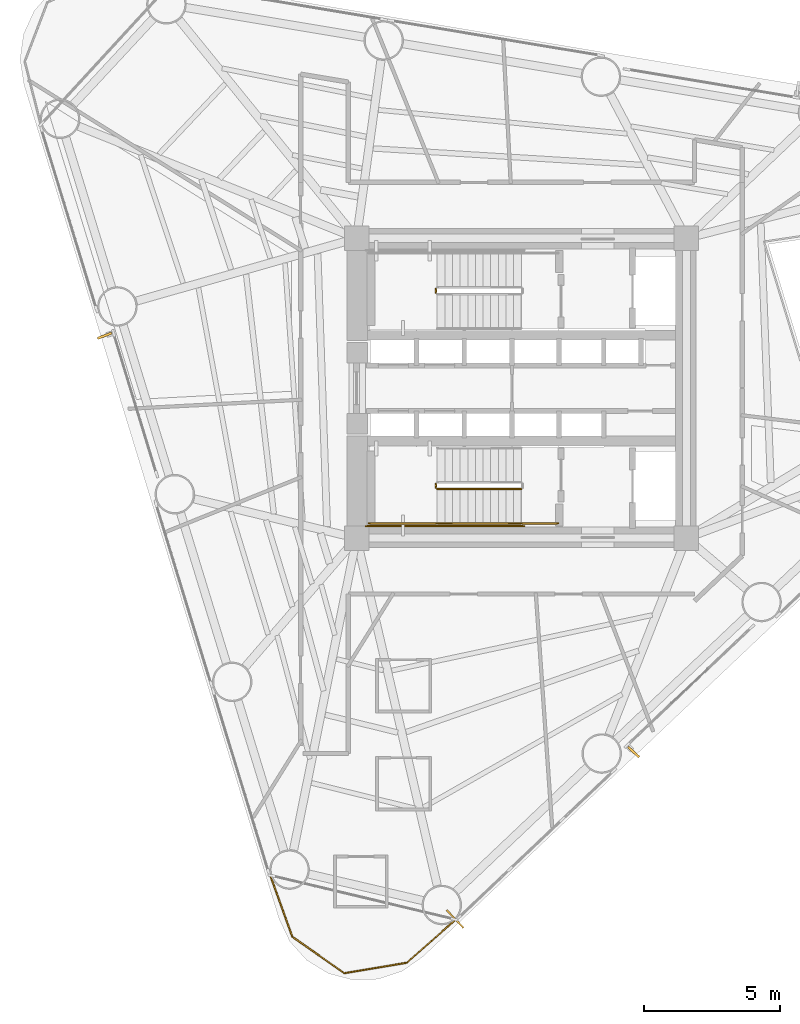
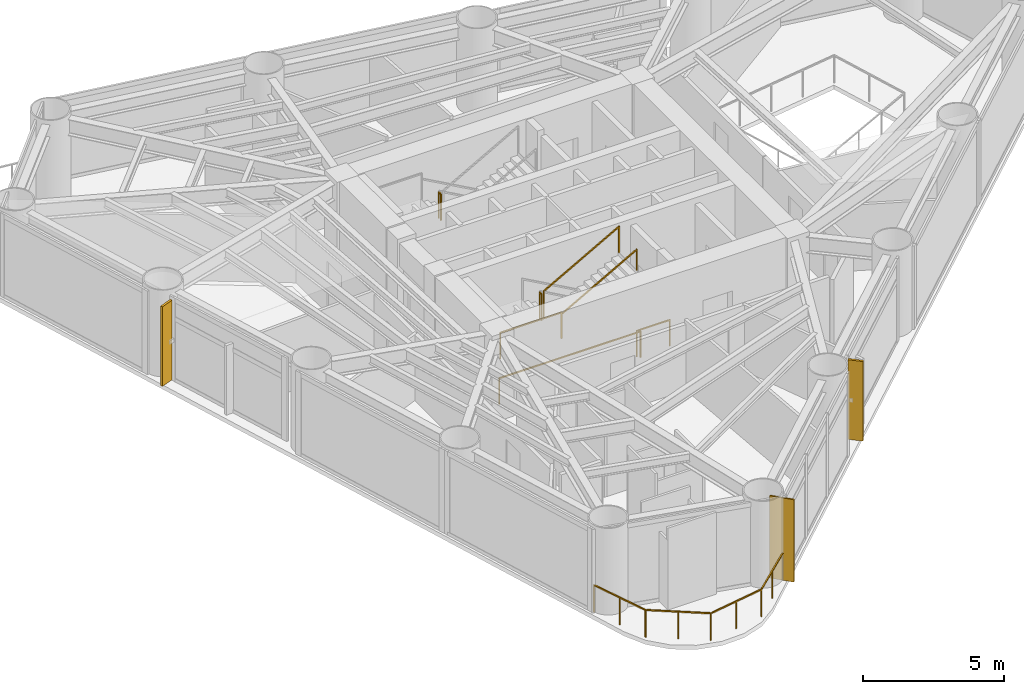
# One storey, part 8 of 10: 8 railings, 2 shading devices, 1 covering.
"""IFC4 building model written with IfcOpenShell, lengths in metres."""

import ifcopenshell
import ifcopenshell.guid

model = None  # the IFC model being written
_history = None  # IfcOwnerHistory: only IFC2X3 demands one
_inside = {}  # id of a spatial element -> (the spatial element, [elements in it])
_under = {}  # id of a project, library or spatial element -> (it, [spatial elements below it])
_declared = {}  # id of a project -> (the project, [libraries it declares])
_typed = {}  # id of a type object -> (the type object, [elements of that type])
_made_of = {}  # id of a material, layer set ... -> (it, [elements and type objects made of it])


def new_model(schema):
    """Start an empty IFC model of exactly this schema.

    Asked for "IFC4X3", IfcOpenShell would pick the latest addendum, in which some entities
    have other attributes; the version numbers below select the first issue.
    IFC2X3 requires an IfcOwnerHistory on every rooted entity: one is made here for all.
    """
    global model, _history
    if schema == "IFC4X3":
        model = ifcopenshell.file(schema_version=(4, 3, 0, 0))
    else:
        model = ifcopenshell.file(schema=schema)
    _inside.clear()
    _under.clear()
    _declared.clear()
    _typed.clear()
    _made_of.clear()
    _history = None
    if model.schema == "IFC2X3":
        org = make("IfcOrganization", Name="unknown")
        user = make(
            "IfcPersonAndOrganization",
            ThePerson=make("IfcPerson", FamilyName="unknown"),
            TheOrganization=org,
        )
        app = make(
            "IfcApplication",
            ApplicationDeveloper=org,
            Version="unknown",
            ApplicationFullName="unknown",
            ApplicationIdentifier="unknown",
        )
        _history = make(
            "IfcOwnerHistory",
            OwningUser=user,
            OwningApplication=app,
            ChangeAction="ADDED",
            CreationDate=0,
        )
    return model


def make(cls, **values):
    """One entity of the class cls with the attributes given. An attribute that is None is left unset."""
    return model.create_entity(
        cls, **{name: value for name, value in values.items() if value is not None}
    )


def rooted(cls, **values):
    """An entity with a GlobalId (a new one), such as an element, a storey or a relation."""
    return make(cls, GlobalId=ifcopenshell.guid.new(), OwnerHistory=_history, **values)


def si_unit(unit_type, name, prefix=None):
    """IfcSIUnit, for example si_unit("LENGTHUNIT", "METRE", prefix="MILLI")."""
    return make("IfcSIUnit", UnitType=unit_type, Prefix=prefix, Name=name)


def assignment(units):
    """IfcUnitAssignment: the units of a project."""
    return None if units is None else make("IfcUnitAssignment", Units=units)


def point(xyz):
    """IfcCartesianPoint."""
    return None if xyz is None else make("IfcCartesianPoint", Coordinates=xyz)


def direction(xyz):
    """IfcDirection."""
    return None if xyz is None else make("IfcDirection", DirectionRatios=xyz)


def frame(location, z_axis=None, x_axis=None):
    """IfcAxis2Placement3D, a coordinate frame: its origin and axes. An axis left out is left unset."""
    return make(
        "IfcAxis2Placement3D",
        Location=point(location),
        Axis=direction(z_axis),
        RefDirection=direction(x_axis),
    )


def frame_2d(location, x_axis=None):
    """IfcAxis2Placement2D, a coordinate frame in the plane: its origin and x axis."""
    return make(
        "IfcAxis2Placement2D", Location=point(location), RefDirection=direction(x_axis)
    )


def origin():
    """The frame at (0, 0, 0) with its axes left unset."""
    return frame((0.0, 0.0, 0.0))


def origin_2d():
    """The frame at (0, 0) in the plane with its x axis left unset."""
    return frame_2d((0.0, 0.0))


def place(relative_to, where):
    """IfcLocalPlacement: puts the frame where relative to a parent placement (None: the world)."""
    return make(
        "IfcLocalPlacement", PlacementRelTo=relative_to, RelativePlacement=where
    )


def context(
    kind, dimensions, precision=None, world=None, true_north=None, identifier=None
):
    """IfcGeometricRepresentationContext, for example the 3D "Model" context."""
    return make(
        "IfcGeometricRepresentationContext",
        ContextIdentifier=identifier,
        ContextType=kind,
        CoordinateSpaceDimension=dimensions,
        Precision=precision,
        WorldCoordinateSystem=world,
        TrueNorth=true_north,
    )


def subcontext(parent, identifier, kind, view, scale=None):
    """IfcGeometricRepresentationSubContext, for example "Body" below "Model"."""
    return make(
        "IfcGeometricRepresentationSubContext",
        ContextIdentifier=identifier,
        ContextType=kind,
        ParentContext=parent,
        TargetScale=scale,
        TargetView=view,
    )


def project(units=None, contexts=None):
    """IfcProject with its units and contexts."""
    return rooted(
        "IfcProject",
        Name="project",
        RepresentationContexts=contexts,
        UnitsInContext=assignment(units),
    )


def spatial(cls, under=None, at=None, **own):
    """A site, building, storey or space (cls), placed at a placement, below another one or the project."""
    s = rooted(cls, ObjectPlacement=at, **own)
    if under is not None:
        _under.setdefault(under.id(), (under, []))[1].append(s)
    return s


def profile(cls, at=None, kind="AREA", **sizes):
    """A parametric profile (cls). Its sizes go by their IFC names, for example OverallWidth=200.0."""
    return make(cls, ProfileType=kind, Position=at, **sizes)


def rectangle(**sizes):
    """IfcRectangleProfileDef."""
    return profile("IfcRectangleProfileDef", **sizes)


def extrude(swept, where, along, depth):
    """IfcExtrudedAreaSolid: the profile swept, set in the frame where, extruded along a direction by depth."""
    return make(
        "IfcExtrudedAreaSolid",
        SweptArea=swept,
        Position=where,
        ExtrudedDirection=direction(along),
        Depth=depth,
    )


def shape(context_of_items, identifier, shape_type, items):
    """IfcShapeRepresentation: the items that make up one representation, for example the "Body"."""
    return make(
        "IfcShapeRepresentation",
        ContextOfItems=context_of_items,
        RepresentationIdentifier=identifier,
        RepresentationType=shape_type,
        Items=items,
    )


def source(mapping_origin, context_of_items, identifier, shape_type, items):
    """IfcRepresentationMap: a shape defined once, which mapped items show again and again."""
    return make(
        "IfcRepresentationMap",
        MappingOrigin=mapping_origin,
        MappedRepresentation=shape(context_of_items, identifier, shape_type, items),
    )


def transform(
    local_origin,
    x_axis=None,
    y_axis=None,
    z_axis=None,
    scale=None,
    scale2=None,
    scale3=None,
    uniform=True,
):
    """IfcCartesianTransformationOperator3D, or its non-uniform kind. x_axis, y_axis, z_axis: its Axis1, 2, 3."""
    if uniform:
        return make(
            "IfcCartesianTransformationOperator3D",
            Axis1=direction(x_axis),
            Axis2=direction(y_axis),
            LocalOrigin=point(local_origin),
            Scale=scale,
            Axis3=direction(z_axis),
        )
    return make(
        "IfcCartesianTransformationOperator3DnonUniform",
        Axis1=direction(x_axis),
        Axis2=direction(y_axis),
        LocalOrigin=point(local_origin),
        Scale=scale,
        Axis3=direction(z_axis),
        Scale2=scale2,
        Scale3=scale3,
    )


def mapped(mapping_source, mapping_target):
    """IfcMappedItem: shows the shape of a source again, moved by a transform."""
    return make(
        "IfcMappedItem", MappingSource=mapping_source, MappingTarget=mapping_target
    )


def material(Name=None, Category=None):
    """IfcMaterial."""
    return make("IfcMaterial", Name=Name, Category=Category)


def layer(
    of_material, thickness, ventilated=None, Name=None, Category=None, Priority=None
):
    """IfcMaterialLayer: one layer of a wall or slab, of a material (None: an air gap)."""
    return make(
        "IfcMaterialLayer",
        Material=of_material,
        LayerThickness=thickness,
        IsVentilated=ventilated,
        Name=Name,
        Category=Category,
        Priority=Priority,
    )


def layer_set(layers, Name=None):
    """IfcMaterialLayerSet."""
    return make("IfcMaterialLayerSet", MaterialLayers=layers, LayerSetName=Name)


def material_profile(
    of_material, cross_section, Name=None, Category=None, Priority=None
):
    """IfcMaterialProfile: a cross section and its material."""
    return make(
        "IfcMaterialProfile",
        Name=Name,
        Material=of_material,
        Profile=cross_section,
        Priority=Priority,
        Category=Category,
    )


def profile_set(profiles, Name=None, composite=None):
    """IfcMaterialProfileSet."""
    return make(
        "IfcMaterialProfileSet",
        Name=Name,
        MaterialProfiles=profiles,
        CompositeProfile=composite,
    )


def made_of(thing, what):
    """Note that an element or type object is made of a material, layer set ...; save() writes the relation."""
    if what is not None:
        _made_of.setdefault(what.id(), (what, []))[1].append(thing)
    return thing


def type_object(cls, material=None, **own):
    """A type object (cls), such as IfcWallType, which elements share."""
    return made_of(rooted(cls, **own), material)


def element(
    cls,
    number,
    at=None,
    inside=None,
    cuts=None,
    type_object=None,
    material=None,
    context=None,
    identifier="Body",
    shape_type=None,
    held_by="IfcProductDefinitionShape",
    body=None,
    shapes=None,
    **own,
):
    """One element of the class cls, such as IfcWall. Its Tag is "e" and its number.

    at: its placement. inside: the storey or other place that contains it. cuts: it is an
    opening in that element (IfcRelVoidsElement). A single representation is given by context,
    identifier, shape_type and body (its items); several are given by shapes. held_by: the class
    of the entity that holds the representations. save() writes the other relations.
    """
    e = rooted(cls, Tag="e%d" % number, ObjectPlacement=at, **own)
    if body is not None:
        shapes = [shape(context, identifier, shape_type, body)]
    if shapes is not None:
        e.Representation = make(held_by, Representations=shapes)
    if inside is not None:
        _inside.setdefault(inside.id(), (inside, []))[1].append(e)
    if cuts is not None:
        rooted(
            "IfcRelVoidsElement", RelatingBuildingElement=cuts, RelatedOpeningElement=e
        )
    if type_object is not None:
        _typed.setdefault(type_object.id(), (type_object, []))[1].append(e)
    return made_of(e, material)


def aggregate(whole, parts):
    """IfcRelAggregates: a whole, such as a stair, and the parts it consists of."""
    return rooted("IfcRelAggregates", RelatingObject=whole, RelatedObjects=parts)


def save(model, path):
    """Write the relations noted so far, then the file.

    IfcRelAggregates (storeys below a building ...), IfcRelContainedInSpatialStructure (elements
    in a storey), IfcRelDefinesByType, IfcRelAssociatesMaterial and IfcRelDeclares: one each for
    every whole, place, type object, material and project.
    """
    for whole, parts in _under.values():
        aggregate(whole, parts)
    for where, things in _inside.values():
        rooted(
            "IfcRelContainedInSpatialStructure",
            RelatedElements=things,
            RelatingStructure=where,
        )
    for kind, things in _typed.values():
        rooted("IfcRelDefinesByType", RelatedObjects=things, RelatingType=kind)
    for what, things in _made_of.values():
        rooted("IfcRelAssociatesMaterial", RelatedObjects=things, RelatingMaterial=what)
    for by, libraries in _declared.values():
        rooted("IfcRelDeclares", RelatingContext=by, RelatedDefinitions=libraries)
    model.write(path)


model = new_model("IFC4")

# Units and contexts
model_context = context("Model", 3, precision=1e-05, world=origin(), true_north=direction((0.0, 1.0)))
body_context = subcontext(model_context, "Body", "Model", "MODEL_VIEW")
ifc_project = project(units=[si_unit("LENGTHUNIT", "METRE"), si_unit("AREAUNIT", "SQUARE_METRE"), si_unit("VOLUMEUNIT", "CUBIC_METRE"), si_unit("PLANEANGLEUNIT", "RADIAN"), si_unit("MASSUNIT", "GRAM", prefix="KILO")], contexts=[model_context])

# Site, building, storey
site_placement = place(None, origin())
site = spatial("IfcSite", under=ifc_project, at=site_placement, CompositionType="ELEMENT")
building_placement = place(site_placement, origin())
building = spatial("IfcBuilding", under=site, at=building_placement, Name="Yunling Apex Tower", CompositionType="ELEMENT")
storey_placement = place(building_placement, frame((0.0, 0.0, 101.14990234375)))
storey = spatial("IfcBuildingStorey", under=building, at=storey_placement, Name="L25", CompositionType="ELEMENT", Elevation=101.14990234375)

# Railings
ifc_material_1 = material(Name="Bronze anodised aluminium", Category="aluminium")
railing_type_1 = type_object("IfcRailingType", Name="RL-BAL-1200", PredefinedType="BALUSTRADE", material=ifc_material_1)
railing_1_placement = place(storey_placement, frame((-2.412353515625, -19.497314453125, 0.0)))
element("IfcRailing", 1, at=railing_1_placement, inside=storey, type_object=railing_type_1, Name="RL-CRNSILL-L25-3", PredefinedType="BALUSTRADE", context=body_context, shape_type="SweptSolid", body=[
    extrude(rectangle(XDim=0.0439453125, YDim=0.0439453125, at=origin_2d()), origin(), (0.0, 0.0, 1.0), 1.199951171875),
    extrude(rectangle(XDim=0.0439453125, YDim=0.0439453125, at=origin_2d()), frame((-1.796630859375, -1.580078125, 0.0)), (0.0, 0.0, 1.0), 1.199951171875),
    extrude(rectangle(XDim=0.050048828125, YDim=0.050048828125, at=origin_2d()), frame((-0.02880859375, -0.025390625, 1.1748046875), z_axis=(-0.750911858274, -0.660402438748, 0.0), x_axis=(0.660402438748, -0.750911858274, 0.0)), (0.0, 0.0, 1.0), 2.31591796875),
    extrude(rectangle(XDim=0.0439453125, YDim=0.0439453125, at=origin_2d()), frame((-0.8984375, -0.7900390625, 0.0)), (0.0, 0.0, 1.0), 1.14599609375),
    extrude(rectangle(XDim=0.0439453125, YDim=0.0439453125, at=origin_2d()), frame((-4.085205078125, -1.96484375, 0.0)), (0.0, 0.0, 1.0), 1.199951171875),
    extrude(rectangle(XDim=0.050048828125, YDim=0.050048828125, at=origin_2d()), frame((-1.83447265625, -1.58642578125, 1.1748046875), z_axis=(-0.986159782391, -0.165797718908, 0.0), x_axis=(0.165797718908, -0.986159782391, 0.0)), (0.0, 0.0, 1.0), 2.244140625),
    extrude(rectangle(XDim=0.0439453125, YDim=0.0439453125, at=origin_2d()), frame((-2.94091796875, -1.7724609375, 0.0)), (0.0, 0.0, 1.0), 1.14599609375),
    extrude(rectangle(XDim=0.0439453125, YDim=0.0439453125, at=origin_2d()), frame((-5.991943359375, -0.62890625, 0.0)), (0.0, 0.0, 1.0), 1.199951171875),
    extrude(rectangle(XDim=0.050048828125, YDim=0.050048828125, at=origin_2d()), frame((-4.11669921875, -1.94287109375, 1.1748046875), z_axis=(-0.818985520809, 0.573814183081, 0.0), x_axis=(-0.573814183081, -0.818985520809, 0.0)), (0.0, 0.0, 1.0), 2.25146484375),
    extrude(rectangle(XDim=0.0439453125, YDim=0.0439453125, at=origin_2d()), frame((-5.03857421875, -1.296875, 0.0)), (0.0, 0.0, 1.0), 1.14599609375),
    extrude(rectangle(XDim=0.0439453125, YDim=0.0439453125, at=origin_2d()), frame((-6.80224609375, 1.62158203125, 0.0)), (0.0, 0.0, 1.0), 1.199951171875),
    extrude(rectangle(XDim=0.050048828125, YDim=0.050048828125, at=origin_2d()), frame((-6.0048828125, -0.5927734375, 1.1748046875), z_axis=(-0.338766454211, 0.940870495606, 0.0), x_axis=(-0.940870495606, -0.338766454211, 0.0)), (0.0, 0.0, 1.0), 2.315185546875),
    extrude(rectangle(XDim=0.0439453125, YDim=0.0439453125, at=origin_2d()), frame((-6.39697265625, 0.496337890625, 0.0)), (0.0, 0.0, 1.0), 1.14599609375),
])
ifc_material_2 = material(Name="Steel Q355B", Category="steel")
railing_type_2 = type_object("IfcRailingType", Name="RL-GRD-1150", PredefinedType="GUARDRAIL", material=ifc_material_2)
for number, where, name in (
    (2, (-3.139892578125, 3.64990234375, 1.875), "L25 ST-1 stair guard 2"),
    (3, (-3.139892578125, -3.5, 1.875), "L25 ST-2 stair guard 2"),
):
    element("IfcRailing", number, at=place(storey_placement, frame(where)), inside=storey, type_object=railing_type_2, Name=name, PredefinedType="GUARDRAIL", context=body_context, shape_type="SweptSolid", body=[
        extrude(rectangle(XDim=0.0439453125, YDim=0.0439453125, at=origin_2d()), origin(), (0.0, 0.0, 1.0), 1.14990234375),
        extrude(rectangle(XDim=0.0439453125, YDim=0.0439453125, at=origin_2d()), frame((0.0, -0.14990234375, 0.0)), (0.0, 0.0, 1.0), 1.14990234375),
        extrude(rectangle(XDim=0.050048828125, YDim=0.050048828125, at=origin_2d()), frame((0.0, -0.038330078125, 1.125), z_axis=(0.0, -1.0, 0.0), x_axis=(1.0, 0.0, 0.0)), (0.0, 0.0, 1.0), 0.0732421875),
    ])
railing_2_placement = place(storey_placement, frame((-3.090087890625, -4.9599609375, 1.875)))
element("IfcRailing", 4, at=railing_2_placement, inside=storey, type_object=railing_type_2, Name="L25 ST-2 stair guard 3", PredefinedType="GUARDRAIL", context=body_context, shape_type="SweptSolid", body=[
    extrude(rectangle(XDim=0.0439453125, YDim=0.0439453125, at=origin_2d()), origin(), (0.0, 0.0, 1.0), 1.14990234375),
    extrude(rectangle(XDim=0.0439453125, YDim=0.0439453125, at=origin_2d()), frame((-2.510009765625, 0.0, 0.0)), (0.0, 0.0, 1.0), 1.14990234375),
    extrude(rectangle(XDim=0.050048828125, YDim=0.050048828125, at=origin_2d()), frame((-0.038330078125, 0.0, 1.125), z_axis=(-1.0, 0.0, 0.0), x_axis=(0.0, -1.0, 0.0)), (0.0, 0.0, 1.0), 2.433349609375),
])
railing_3_placement = place(storey_placement, frame((-3.090087890625, -3.699951171875, 2.03125)))
element("IfcRailing", 5, at=railing_3_placement, inside=storey, type_object=railing_type_2, Name="L25 ST-2 stair guard 4", PredefinedType="GUARDRAIL", context=body_context, shape_type="SweptSolid", body=[
    extrude(rectangle(XDim=0.0439453125, YDim=0.0439453125, at=origin_2d()), origin(), (0.0, 0.0, 1.0), 1.14990234375),
    extrude(rectangle(XDim=0.0439453125, YDim=0.0439453125, at=origin_2d()), frame((3.080078125, 0.0, 1.71875)), (0.0, 0.0, 1.0), 1.14990234375),
    extrude(rectangle(XDim=0.050048828125, YDim=0.050048828125, at=origin_2d()), frame((0.033447265625, 0.0, 1.1435546875), z_axis=(0.873241540666, 0.0, 0.487287606713), x_axis=(0.0, 1.0, 0.0)), (0.0, 0.0, 1.0), 3.450439453125),
])
railing_4_placement = place(storey_placement, frame((1.35009765625, -4.9599609375, 0.0)))
element("IfcRailing", 6, at=railing_4_placement, inside=storey, type_object=railing_type_2, Name="L25 ST-2 stair guard 6", PredefinedType="GUARDRAIL", context=body_context, shape_type="SweptSolid", body=[
    extrude(rectangle(XDim=0.0439453125, YDim=0.0439453125, at=origin_2d()), origin(), (0.0, 0.0, 1.0), 1.14990234375),
    extrude(rectangle(XDim=0.0439453125, YDim=0.0439453125, at=origin_2d()), frame((-1.360107421875, 0.0, 0.0)), (0.0, 0.0, 1.0), 1.14990234375),
    extrude(rectangle(XDim=0.050048828125, YDim=0.050048828125, at=origin_2d()), frame((-0.038330078125, 0.0, 1.125), z_axis=(-1.0, 0.0, 0.0), x_axis=(0.0, -1.0, 0.0)), (0.0, 0.0, 1.0), 1.283447265625),
])
railing_5_placement = place(storey_placement, frame((0.090087890625, -5.06005859375, 0.0)))
element("IfcRailing", 7, at=railing_5_placement, inside=storey, type_object=railing_type_2, Name="L25 ST-2 stair guard 7", PredefinedType="GUARDRAIL", context=body_context, shape_type="SweptSolid", body=[
    extrude(rectangle(XDim=0.0439453125, YDim=0.0439453125, at=origin_2d()), origin(), (0.0, 0.0, 1.0), 1.14990234375),
    extrude(rectangle(XDim=0.0439453125, YDim=0.0439453125, at=origin_2d()), frame((-5.7900390625, 0.0, 0.0)), (0.0, 0.0, 1.0), 1.14990234375),
    extrude(rectangle(XDim=0.050048828125, YDim=0.050048828125, at=origin_2d()), frame((-0.038330078125, 0.0, 1.125), z_axis=(-1.0, 0.0, 0.0), x_axis=(0.0, -1.0, 0.0)), (0.0, 0.0, 1.0), 5.71337890625),
])
ifc_material_3 = material(Name="Silver anodised aluminium", Category="aluminium")
railing_type_3 = type_object("IfcRailingType", Name="RL-HND-900", PredefinedType="HANDRAIL", material=ifc_material_3)
railing_6_placement = place(storey_placement, frame((-3.090087890625, -4.9599609375, 2.03125)))
element("IfcRailing", 8, at=railing_6_placement, inside=storey, type_object=railing_type_3, Name="L25 ST-2 stair handrail 2", PredefinedType="HANDRAIL", context=body_context, shape_type="SweptSolid", body=[
    extrude(rectangle(XDim=0.0439453125, YDim=0.0439453125, at=origin_2d()), origin(), (0.0, 0.0, 1.0), 0.919921875),
    extrude(rectangle(XDim=0.0439453125, YDim=0.0439453125, at=origin_2d()), frame((3.080078125, 0.0, 1.71875)), (0.0, 0.0, 1.0), 0.919921875),
    extrude(rectangle(XDim=0.050048828125, YDim=0.050048828125, at=origin_2d()), frame((0.033447265625, 0.0, 0.91357421875), z_axis=(0.873241540666, 0.0, 0.487287606713), x_axis=(0.0, 1.0, 0.0)), (0.0, 0.0, 1.0), 3.450439453125),
])

# Covering
ifc_layer = layer(ifc_material_1, 0.0400390625)
ifc_layer_set = layer_set([ifc_layer], Name="Bronze anodised aluminium")
covering_type = type_object("IfcCoveringType", Name="CV-CLD-1", PredefinedType="CLADDING", material=ifc_layer_set)
shared_shape_1 = source(origin(), body_context, "Body", "SweptSolid", [
    extrude(rectangle(XDim=0.06005859375, YDim=0.89990234375, at=origin_2d()), origin(), (0.0, 0.0, 1.0), 3.56494140625),
])
covering_placement = place(storey_placement, frame((-2.4365234375, -19.4716796875, 0.000244140625), z_axis=(0.0, 0.0, 1.0), x_axis=(0.725854756355, 0.687848001144, 0.0)))
element("IfcCovering", 9, at=covering_placement, inside=storey, type_object=covering_type, Name="CV-CLD-L25", PredefinedType="CLADDING", context=body_context, shape_type="MappedRepresentation", body=[
    mapped(shared_shape_1, transform((0.0, 0.0, 0.0), scale=1.0)),
])

# Shading devices
ifc_material_profile = material_profile(ifc_material_1, rectangle(XDim=0.0849609375, YDim=0.550048828125, at=origin_2d()))
ifc_profile_set = profile_set([ifc_material_profile], Name="Bronze anodised aluminium")
shading_device_type = type_object("IfcShadingDeviceType", Name="FN-BRZ-3", PredefinedType="USERDEFINED", material=ifc_profile_set)
shared_shape_2 = source(origin(), body_context, "Body", "SweptSolid", [
    extrude(rectangle(XDim=0.0849609375, YDim=0.550048828125, at=origin_2d()), origin(), (0.0, 0.0, 1.0), 3.445068359375),
])
for number, where, z_axis, x_axis, name in (
    (10, (4.11376953125, -13.347412109375, 0.06005859375), (0.0, 0.0, 1.0), (0.679313233894, 0.733848438205, 0.0), "CW-L25-F1-B2-FIN-01"),
    (11, (-15.29443359375, 1.92529296875, 0.06005859375), (0.0, 0.0, 1.0), (0.354291037998, -0.935135209686, 0.0), "CW-L25-F3-B2-FIN-01"),
):
    element("IfcShadingDevice", number, at=place(storey_placement, frame(where, z_axis=z_axis, x_axis=x_axis)), inside=storey, type_object=shading_device_type, Name=name, ObjectType="FIN", PredefinedType="USERDEFINED", context=body_context, shape_type="MappedRepresentation", body=[
        mapped(shared_shape_2, transform((0.0, 0.0, 0.0), scale=1.0)),
    ])

save(model, "model.ifc")
